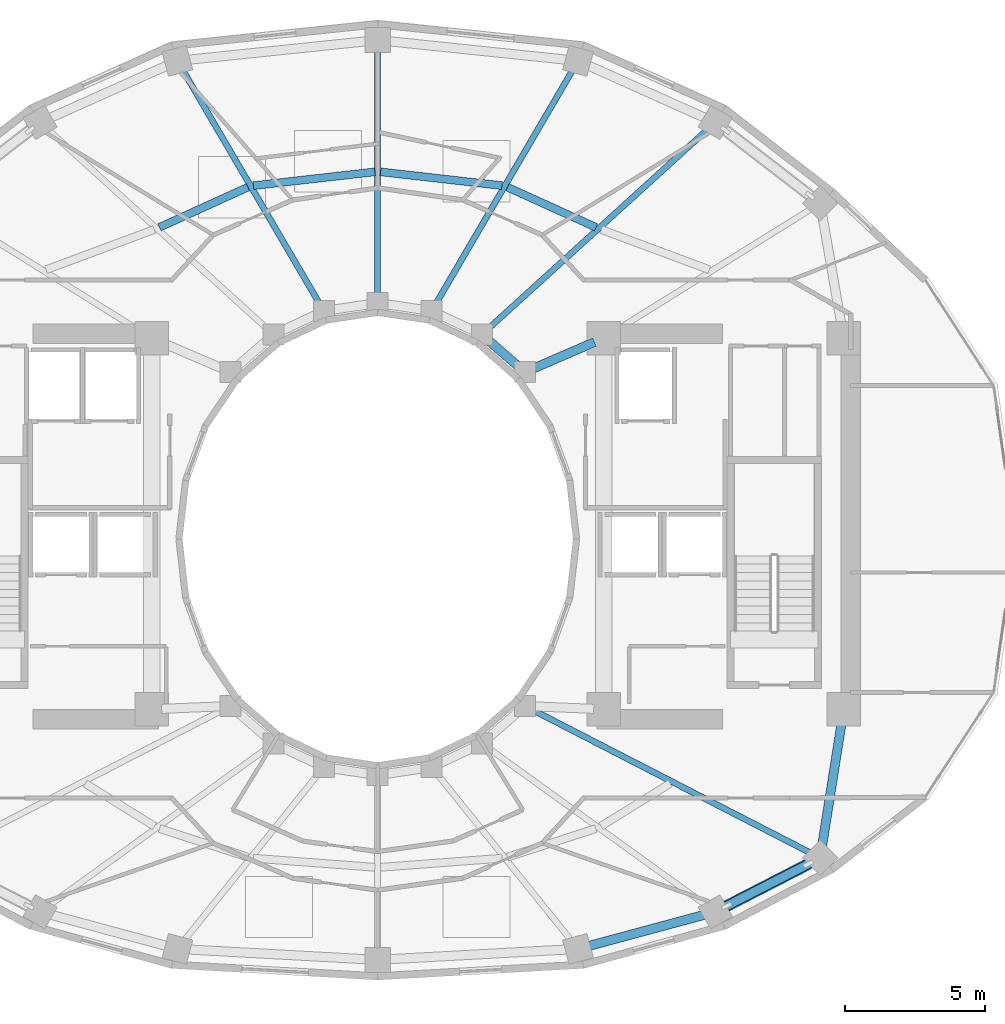
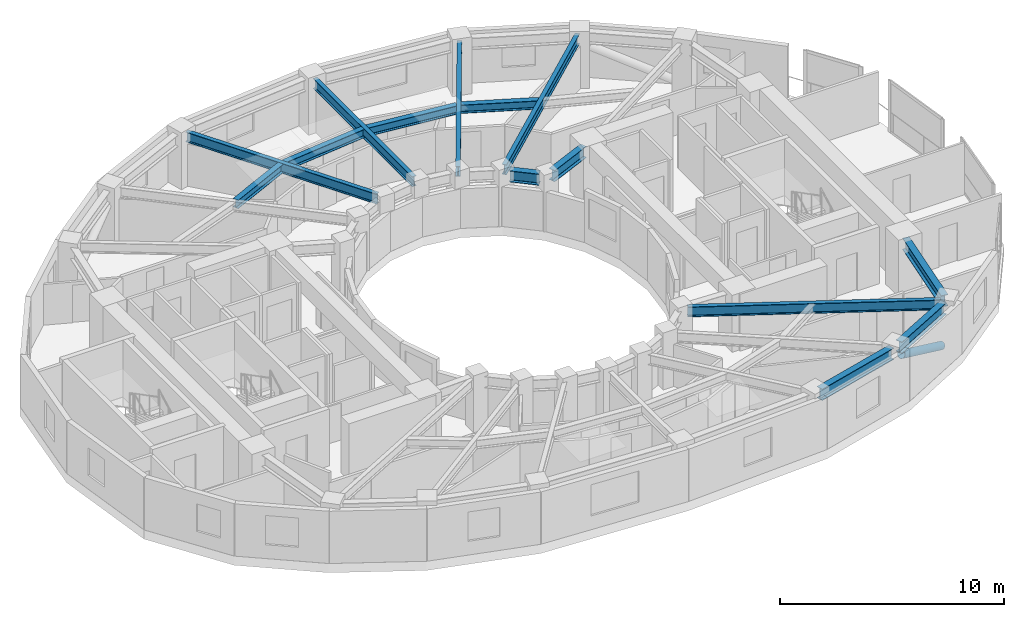
# One storey, part 2 of 13: 14 beams, 1 member.
"""IFC4 building model written with IfcOpenShell, lengths in metres."""

import ifcopenshell
import ifcopenshell.guid

model = None  # the IFC model being written
_history = None  # IfcOwnerHistory: only IFC2X3 demands one
_inside = {}  # id of a spatial element -> (the spatial element, [elements in it])
_under = {}  # id of a project, library or spatial element -> (it, [spatial elements below it])
_declared = {}  # id of a project -> (the project, [libraries it declares])
_typed = {}  # id of a type object -> (the type object, [elements of that type])
_made_of = {}  # id of a material, layer set ... -> (it, [elements and type objects made of it])


def new_model(schema):
    """Start an empty IFC model of exactly this schema.

    Asked for "IFC4X3", IfcOpenShell would pick the latest addendum, in which some entities
    have other attributes; the version numbers below select the first issue.
    IFC2X3 requires an IfcOwnerHistory on every rooted entity: one is made here for all.
    """
    global model, _history
    if schema == "IFC4X3":
        model = ifcopenshell.file(schema_version=(4, 3, 0, 0))
    else:
        model = ifcopenshell.file(schema=schema)
    _inside.clear()
    _under.clear()
    _declared.clear()
    _typed.clear()
    _made_of.clear()
    _history = None
    if model.schema == "IFC2X3":
        org = make("IfcOrganization", Name="unknown")
        user = make(
            "IfcPersonAndOrganization",
            ThePerson=make("IfcPerson", FamilyName="unknown"),
            TheOrganization=org,
        )
        app = make(
            "IfcApplication",
            ApplicationDeveloper=org,
            Version="unknown",
            ApplicationFullName="unknown",
            ApplicationIdentifier="unknown",
        )
        _history = make(
            "IfcOwnerHistory",
            OwningUser=user,
            OwningApplication=app,
            ChangeAction="ADDED",
            CreationDate=0,
        )
    return model


def make(cls, **values):
    """One entity of the class cls with the attributes given. An attribute that is None is left unset."""
    return model.create_entity(
        cls, **{name: value for name, value in values.items() if value is not None}
    )


def rooted(cls, **values):
    """An entity with a GlobalId (a new one), such as an element, a storey or a relation."""
    return make(cls, GlobalId=ifcopenshell.guid.new(), OwnerHistory=_history, **values)


def si_unit(unit_type, name, prefix=None):
    """IfcSIUnit, for example si_unit("LENGTHUNIT", "METRE", prefix="MILLI")."""
    return make("IfcSIUnit", UnitType=unit_type, Prefix=prefix, Name=name)


def assignment(units):
    """IfcUnitAssignment: the units of a project."""
    return None if units is None else make("IfcUnitAssignment", Units=units)


def point(xyz):
    """IfcCartesianPoint."""
    return None if xyz is None else make("IfcCartesianPoint", Coordinates=xyz)


def direction(xyz):
    """IfcDirection."""
    return None if xyz is None else make("IfcDirection", DirectionRatios=xyz)


def frame(location, z_axis=None, x_axis=None):
    """IfcAxis2Placement3D, a coordinate frame: its origin and axes. An axis left out is left unset."""
    return make(
        "IfcAxis2Placement3D",
        Location=point(location),
        Axis=direction(z_axis),
        RefDirection=direction(x_axis),
    )


def frame_2d(location, x_axis=None):
    """IfcAxis2Placement2D, a coordinate frame in the plane: its origin and x axis."""
    return make(
        "IfcAxis2Placement2D", Location=point(location), RefDirection=direction(x_axis)
    )


def origin():
    """The frame at (0, 0, 0) with its axes left unset."""
    return frame((0.0, 0.0, 0.0))


def origin_2d():
    """The frame at (0, 0) in the plane with its x axis left unset."""
    return frame_2d((0.0, 0.0))


def place(relative_to, where):
    """IfcLocalPlacement: puts the frame where relative to a parent placement (None: the world)."""
    return make(
        "IfcLocalPlacement", PlacementRelTo=relative_to, RelativePlacement=where
    )


def context(
    kind, dimensions, precision=None, world=None, true_north=None, identifier=None
):
    """IfcGeometricRepresentationContext, for example the 3D "Model" context."""
    return make(
        "IfcGeometricRepresentationContext",
        ContextIdentifier=identifier,
        ContextType=kind,
        CoordinateSpaceDimension=dimensions,
        Precision=precision,
        WorldCoordinateSystem=world,
        TrueNorth=true_north,
    )


def subcontext(parent, identifier, kind, view, scale=None):
    """IfcGeometricRepresentationSubContext, for example "Body" below "Model"."""
    return make(
        "IfcGeometricRepresentationSubContext",
        ContextIdentifier=identifier,
        ContextType=kind,
        ParentContext=parent,
        TargetScale=scale,
        TargetView=view,
    )


def project(units=None, contexts=None):
    """IfcProject with its units and contexts."""
    return rooted(
        "IfcProject",
        Name="project",
        RepresentationContexts=contexts,
        UnitsInContext=assignment(units),
    )


def spatial(cls, under=None, at=None, **own):
    """A site, building, storey or space (cls), placed at a placement, below another one or the project."""
    s = rooted(cls, ObjectPlacement=at, **own)
    if under is not None:
        _under.setdefault(under.id(), (under, []))[1].append(s)
    return s


def profile(cls, at=None, kind="AREA", **sizes):
    """A parametric profile (cls). Its sizes go by their IFC names, for example OverallWidth=200.0."""
    return make(cls, ProfileType=kind, Position=at, **sizes)


def hollow_circle(**sizes):
    """IfcCircleHollowProfileDef."""
    return profile("IfcCircleHollowProfileDef", **sizes)


def i_section(**sizes):
    """IfcIShapeProfileDef."""
    return profile("IfcIShapeProfileDef", **sizes)


def extrude(swept, where, along, depth):
    """IfcExtrudedAreaSolid: the profile swept, set in the frame where, extruded along a direction by depth."""
    return make(
        "IfcExtrudedAreaSolid",
        SweptArea=swept,
        Position=where,
        ExtrudedDirection=direction(along),
        Depth=depth,
    )


def shape(context_of_items, identifier, shape_type, items):
    """IfcShapeRepresentation: the items that make up one representation, for example the "Body"."""
    return make(
        "IfcShapeRepresentation",
        ContextOfItems=context_of_items,
        RepresentationIdentifier=identifier,
        RepresentationType=shape_type,
        Items=items,
    )


def material(Name=None, Category=None):
    """IfcMaterial."""
    return make("IfcMaterial", Name=Name, Category=Category)


def material_profile(
    of_material, cross_section, Name=None, Category=None, Priority=None
):
    """IfcMaterialProfile: a cross section and its material."""
    return make(
        "IfcMaterialProfile",
        Name=Name,
        Material=of_material,
        Profile=cross_section,
        Priority=Priority,
        Category=Category,
    )


def profile_set(profiles, Name=None, composite=None):
    """IfcMaterialProfileSet."""
    return make(
        "IfcMaterialProfileSet",
        Name=Name,
        MaterialProfiles=profiles,
        CompositeProfile=composite,
    )


def made_of(thing, what):
    """Note that an element or type object is made of a material, layer set ...; save() writes the relation."""
    if what is not None:
        _made_of.setdefault(what.id(), (what, []))[1].append(thing)
    return thing


def type_object(cls, material=None, **own):
    """A type object (cls), such as IfcWallType, which elements share."""
    return made_of(rooted(cls, **own), material)


def element(
    cls,
    number,
    at=None,
    inside=None,
    cuts=None,
    type_object=None,
    material=None,
    context=None,
    identifier="Body",
    shape_type=None,
    held_by="IfcProductDefinitionShape",
    body=None,
    shapes=None,
    **own,
):
    """One element of the class cls, such as IfcWall. Its Tag is "e" and its number.

    at: its placement. inside: the storey or other place that contains it. cuts: it is an
    opening in that element (IfcRelVoidsElement). A single representation is given by context,
    identifier, shape_type and body (its items); several are given by shapes. held_by: the class
    of the entity that holds the representations. save() writes the other relations.
    """
    e = rooted(cls, Tag="e%d" % number, ObjectPlacement=at, **own)
    if body is not None:
        shapes = [shape(context, identifier, shape_type, body)]
    if shapes is not None:
        e.Representation = make(held_by, Representations=shapes)
    if inside is not None:
        _inside.setdefault(inside.id(), (inside, []))[1].append(e)
    if cuts is not None:
        rooted(
            "IfcRelVoidsElement", RelatingBuildingElement=cuts, RelatedOpeningElement=e
        )
    if type_object is not None:
        _typed.setdefault(type_object.id(), (type_object, []))[1].append(e)
    return made_of(e, material)


def aggregate(whole, parts):
    """IfcRelAggregates: a whole, such as a stair, and the parts it consists of."""
    return rooted("IfcRelAggregates", RelatingObject=whole, RelatedObjects=parts)


def save(model, path):
    """Write the relations noted so far, then the file.

    IfcRelAggregates (storeys below a building ...), IfcRelContainedInSpatialStructure (elements
    in a storey), IfcRelDefinesByType, IfcRelAssociatesMaterial and IfcRelDeclares: one each for
    every whole, place, type object, material and project.
    """
    for whole, parts in _under.values():
        aggregate(whole, parts)
    for where, things in _inside.values():
        rooted(
            "IfcRelContainedInSpatialStructure",
            RelatedElements=things,
            RelatingStructure=where,
        )
    for kind, things in _typed.values():
        rooted("IfcRelDefinesByType", RelatedObjects=things, RelatingType=kind)
    for what, things in _made_of.values():
        rooted("IfcRelAssociatesMaterial", RelatedObjects=things, RelatingMaterial=what)
    for by, libraries in _declared.values():
        rooted("IfcRelDeclares", RelatingContext=by, RelatedDefinitions=libraries)
    model.write(path)


model = new_model("IFC4")

# Units and contexts
model_context = context("Model", 3, precision=1e-05, world=origin(), true_north=direction((0.0, 1.0)))
body_context = subcontext(model_context, "Body", "Model", "MODEL_VIEW")
ifc_project = project(units=[si_unit("LENGTHUNIT", "METRE"), si_unit("AREAUNIT", "SQUARE_METRE"), si_unit("VOLUMEUNIT", "CUBIC_METRE"), si_unit("PLANEANGLEUNIT", "RADIAN"), si_unit("MASSUNIT", "GRAM", prefix="KILO")], contexts=[model_context])

# Site, building, storey
site_placement = place(None, origin())
site = spatial("IfcSite", under=ifc_project, at=site_placement, CompositionType="ELEMENT")
building_placement = place(site_placement, origin())
building = spatial("IfcBuilding", under=site, at=building_placement, Name="Solvane Sanctuary Tower", CompositionType="ELEMENT")
storey_placement = place(building_placement, frame((0.0, 0.0, 152.89990234375)))
storey = spatial("IfcBuildingStorey", under=building, at=storey_placement, Name="L46", CompositionType="ELEMENT", Elevation=152.89990234375)

# Beams
ifc_material = material(Name="Steel ASTM A992 Grade 50", Category="steel")
ifc_material_profile_1 = material_profile(ifc_material, i_section(OverallWidth=0.214111328125, OverallDepth=0.549072265625, WebThickness=0.0146484375, FlangeThickness=0.023681640625, FilletRadius=0.014892578125, at=origin_2d()), Name="W21X93")
ifc_profile_set_1 = profile_set([ifc_material_profile_1], Name="Steel ASTM A992 Grade 50")
beam_type_1 = type_object("IfcBeamType", Name="Beam B-RAD-Z3 W21X93", PredefinedType="JOIST", material=ifc_profile_set_1)
beam_1_placement = place(storey_placement, frame((35.937255859375, 30.514892578125, 2.603515625), z_axis=(0.74020423772, 0.672382098558, 0.0), x_axis=(-0.672382098558, 0.74020423772, 0.0)))
element("IfcBeam", 1, at=beam_1_placement, inside=storey, type_object=beam_type_1, Name="L46 Radial Composite Floor Beam 02", PredefinedType="JOIST", context=body_context, shape_type="SweptSolid", body=[
    extrude(i_section(OverallWidth=0.214111328125, OverallDepth=0.549072265625, WebThickness=0.0146484375, FlangeThickness=0.023681640625, FilletRadius=0.014892578125, at=origin_2d()), origin(), (0.0, 0.0, 1.0), 10.7451171875),
])
beam_2_placement = place(storey_placement, frame((34.072265625, 31.413330078125, 2.603515625), z_axis=(0.505243742555, 0.862976686017, 0.0), x_axis=(-0.862976686017, 0.505243742555, 0.0)))
element("IfcBeam", 2, at=beam_2_placement, inside=storey, type_object=beam_type_1, Name="L46 Radial Composite Floor Beam 03", PredefinedType="JOIST", context=body_context, shape_type="SweptSolid", body=[
    extrude(i_section(OverallWidth=0.214111328125, OverallDepth=0.549072265625, WebThickness=0.0146484375, FlangeThickness=0.023681640625, FilletRadius=0.014892578125, at=origin_2d()), origin(), (0.0, 0.0, 1.0), 9.826171875),
])
beam_3_placement = place(storey_placement, frame((32.0, 31.739990234375, 2.603515625), z_axis=(0.0, 1.0, 0.0), x_axis=(-1.0, 0.0, 0.0)))
element("IfcBeam", 3, at=beam_3_placement, inside=storey, type_object=beam_type_1, Name="L46 Radial Composite Floor Beam 04", PredefinedType="JOIST", context=body_context, shape_type="SweptSolid", body=[
    extrude(i_section(OverallWidth=0.214111328125, OverallDepth=0.549072265625, WebThickness=0.0146484375, FlangeThickness=0.023681640625, FilletRadius=0.014892578125, at=origin_2d()), origin(), (0.0, 0.0, 1.0), 8.860107421875),
])
beam_4_placement = place(storey_placement, frame((29.927734375, 31.413330078125, 2.603515625), z_axis=(-0.505243742555, 0.862976686017, 0.0), x_axis=(-0.862976686017, -0.505243742555, 0.0)))
element("IfcBeam", 4, at=beam_4_placement, inside=storey, type_object=beam_type_1, Name="L46 Radial Composite Floor Beam 05", PredefinedType="JOIST", context=body_context, shape_type="SweptSolid", body=[
    extrude(i_section(OverallWidth=0.214111328125, OverallDepth=0.549072265625, WebThickness=0.0146484375, FlangeThickness=0.023681640625, FilletRadius=0.014892578125, at=origin_2d()), origin(), (0.0, 0.0, 1.0), 9.826171875),
])
beam_5_placement = place(storey_placement, frame((37.52392578125, 16.889892578125, 2.603515625), z_axis=(0.889204980299, -0.457509019595, 0.0), x_axis=(0.457509019595, 0.889204980299, 0.0)))
element("IfcBeam", 5, at=beam_5_placement, inside=storey, type_object=beam_type_1, Name="L46 Radial Composite Floor Beam 14", PredefinedType="JOIST", context=body_context, shape_type="SweptSolid", body=[
    extrude(i_section(OverallWidth=0.214111328125, OverallDepth=0.549072265625, WebThickness=0.0146484375, FlangeThickness=0.023681640625, FilletRadius=0.014892578125, at=origin_2d()), origin(), (0.0, 0.0, 1.0), 11.340087890625),
])
ifc_material_profile_2 = material_profile(ifc_material, i_section(OverallWidth=0.324951171875, OverallDepth=0.615966796875, WebThickness=0.013916015625, FlangeThickness=0.021484375, FilletRadius=0.01611328125, at=origin_2d()), Name="W24X117")
ifc_profile_set_2 = profile_set([ifc_material_profile_2], Name="Steel ASTM A992 Grade 50")
beam_type_2 = type_object("IfcBeamType", Name="Beam B-RING-IN2 W24X117", PredefinedType="BEAM", material=ifc_profile_set_2)
beam_6_placement = place(storey_placement, frame((35.990234375, 30.10009765625, 2.570068359375), z_axis=(0.754311313851, -0.656516901379, 0.0), x_axis=(0.656516901379, 0.754311313851, 0.0)))
element("IfcBeam", 6, at=beam_6_placement, inside=storey, type_object=beam_type_2, Name="L46 Inner Light-Well Ring Beam IC02-IC01", PredefinedType="BEAM", context=body_context, shape_type="SweptSolid", body=[
    extrude(i_section(OverallWidth=0.324951171875, OverallDepth=0.615966796875, WebThickness=0.013916015625, FlangeThickness=0.021484375, FilletRadius=0.01611328125, at=origin_2d()), origin(), (0.0, 0.0, 1.0), 1.358154296875),
])
beam_7_placement = place(storey_placement, frame((37.591796875, 29.11865234375, 2.570068359375), z_axis=(0.918264067649, 0.395968561966, 0.0), x_axis=(-0.395968561966, 0.918264067649, 0.0)))
element("IfcBeam", 7, at=beam_7_placement, inside=storey, type_object=beam_type_2, Name="L46 Inner Light-Well Ring Beam IC01-CE4", PredefinedType="BEAM", context=body_context, shape_type="SweptSolid", body=[
    extrude(i_section(OverallWidth=0.324951171875, OverallDepth=0.615966796875, WebThickness=0.013916015625, FlangeThickness=0.021484375, FilletRadius=0.01611328125, at=origin_2d()), origin(), (0.0, 0.0, 1.0), 2.371337890625),
])
ifc_material_profile_3 = material_profile(ifc_material, i_section(OverallWidth=0.280029296875, OverallDepth=0.462890625, WebThickness=0.0107421875, FlangeThickness=0.017333984375, FilletRadius=0.013916015625, at=origin_2d()), Name="W18X76")
ifc_profile_set_3 = profile_set([ifc_material_profile_3], Name="Steel ASTM A992 Grade 50")
beam_type_3 = type_object("IfcBeamType", Name="Beam B-SEC-JOIST W18X76", PredefinedType="JOIST", material=ifc_profile_set_3)
beam_8_placement = place(storey_placement, frame((24.178955078125, 34.16943359375, 2.646484375), z_axis=(0.910488773031, 0.413533788443, 0.0), x_axis=(-0.413533788443, 0.910488773031, 0.0)))
element("IfcBeam", 8, at=beam_8_placement, inside=storey, type_object=beam_type_3, Name="L46 Secondary Circumferential Joist 06-05", PredefinedType="JOIST", context=body_context, shape_type="SweptSolid", body=[
    extrude(i_section(OverallWidth=0.280029296875, OverallDepth=0.462890625, WebThickness=0.0107421875, FlangeThickness=0.017333984375, FilletRadius=0.013916015625, at=origin_2d()), origin(), (0.0, 0.0, 1.0), 3.485595703125),
])
for number, where, z_axis, x_axis, name in (
    (9, (27.546875, 35.66455078125, 2.646484375), (0.993621305354, 0.112768353477, 0.0), (-0.112768353477, 0.993621305354, 0.0), "L46 Secondary Circumferential Joist 05-04"),
    (10, (32.101318359375, 36.158447265625, 2.646484375), (0.993621305354, -0.112768353477, 0.0), (0.112768353477, 0.993621305354, 0.0), "L46 Secondary Circumferential Joist 04-03"),
):
    element("IfcBeam", number, at=place(storey_placement, frame(where, z_axis=z_axis, x_axis=x_axis)), inside=storey, type_object=beam_type_3, Name=name, PredefinedType="JOIST", context=body_context, shape_type="SweptSolid", body=[
        extrude(i_section(OverallWidth=0.280029296875, OverallDepth=0.462890625, WebThickness=0.0107421875, FlangeThickness=0.017333984375, FilletRadius=0.013916015625, at=origin_2d()), origin(), (0.0, 0.0, 1.0), 4.379638671875),
    ])
beam_9_placement = place(storey_placement, frame((36.6474609375, 35.61083984375, 2.646484375), z_axis=(0.91050074995, -0.413507417516, 0.0), x_axis=(0.413507417516, 0.91050074995, 0.0)))
element("IfcBeam", 11, at=beam_9_placement, inside=storey, type_object=beam_type_3, Name="L46 Secondary Circumferential Joist 03-02", PredefinedType="JOIST", context=body_context, shape_type="SweptSolid", body=[
    extrude(i_section(OverallWidth=0.280029296875, OverallDepth=0.462890625, WebThickness=0.0107421875, FlangeThickness=0.017333984375, FilletRadius=0.013916015625, at=origin_2d()), origin(), (0.0, 0.0, 1.0), 3.48583984375),
])
ifc_material_profile_4 = material_profile(ifc_material, i_section(OverallWidth=0.327880859375, OverallDepth=0.6279296875, WebThickness=0.0166015625, FlangeThickness=0.027587890625, FilletRadius=0.01611328125, at=origin_2d()), Name="W24X146")
ifc_profile_set_4 = profile_set([ifc_material_profile_4], Name="Steel ASTM A992 Grade 50")
beam_type_4 = type_object("IfcBeamType", Name="Beam B-SPAND-Z3 W24X146", PredefinedType="SPANDREL", material=ifc_profile_set_4)
beam_10_placement = place(storey_placement, frame((39.448486328125, 8.38623046875, 2.564208984375), z_axis=(0.965473224565, 0.260502308334, 0.0), x_axis=(-0.260502308334, 0.965473224565, 0.0)))
element("IfcBeam", 12, at=beam_10_placement, inside=storey, type_object=beam_type_4, Name="L46 Perimeter Spandrel Beam TC12-TC13", PredefinedType="SPANDREL", context=body_context, shape_type="SweptSolid", body=[
    extrude(i_section(OverallWidth=0.327880859375, OverallDepth=0.6279296875, WebThickness=0.0166015625, FlangeThickness=0.027587890625, FilletRadius=0.01611328125, at=origin_2d()), origin(), (0.0, 0.0, 1.0), 4.535888671875),
])
beam_11_placement = place(storey_placement, frame((44.34716796875, 9.768798828125, 2.564208984375), z_axis=(0.889295540094, 0.457332966632, 0.0), x_axis=(-0.457332966632, 0.889295540094, 0.0)))
element("IfcBeam", 13, at=beam_11_placement, inside=storey, type_object=beam_type_4, Name="L46 Perimeter Spandrel Beam TC13-TC14", PredefinedType="SPANDREL", context=body_context, shape_type="SweptSolid", body=[
    extrude(i_section(OverallWidth=0.327880859375, OverallDepth=0.6279296875, WebThickness=0.0166015625, FlangeThickness=0.027587890625, FilletRadius=0.01611328125, at=origin_2d()), origin(), (0.0, 0.0, 1.0), 3.66650390625),
])
beam_12_placement = place(storey_placement, frame((47.900390625, 11.85009765625, 2.564208984375), z_axis=(0.156406167317, 0.987692822099, 0.0), x_axis=(-0.987692822099, 0.156406167317, 0.0)))
element("IfcBeam", 14, at=beam_12_placement, inside=storey, type_object=beam_type_4, Name="L46 Perimeter Spandrel Beam TC14-CE2", PredefinedType="SPANDREL", context=body_context, shape_type="SweptSolid", body=[
    extrude(i_section(OverallWidth=0.327880859375, OverallDepth=0.6279296875, WebThickness=0.0166015625, FlangeThickness=0.027587890625, FilletRadius=0.01611328125, at=origin_2d()), origin(), (0.0, 0.0, 1.0), 4.832763671875),
])

# Member
ifc_material_profile_5 = material_profile(ifc_material, hollow_circle(Radius=0.202880859375, WallThickness=0.012451171875, at=origin_2d()), Name="CHS406X12.5")
ifc_profile_set_5 = profile_set([ifc_material_profile_5], Name="Steel ASTM A992 Grade 50")
member_type = type_object("IfcMemberType", Name="Member M-TUBE-Z3 CHS406X12.5", PredefinedType="BRACE", material=ifc_profile_set_5)
member_placement = place(storey_placement, frame((47.42822265625, 11.353271484375, 0.59326171875), z_axis=(-0.813251703989, -0.418247617111, 0.404586945834), x_axis=(0.457351371069, -0.889286075108, 0.0)))
element("IfcMember", 15, at=member_placement, inside=storey, type_object=member_type, Name="L46 Perimeter Braced-Tube Diagonal SE", PredefinedType="BRACE", context=body_context, shape_type="SweptSolid", body=[
    extrude(hollow_circle(Radius=0.202880859375, WallThickness=0.012451171875, at=origin_2d()), origin(), (0.0, 0.0, 1.0), 3.59228515625),
])

save(model, "model.ifc")
